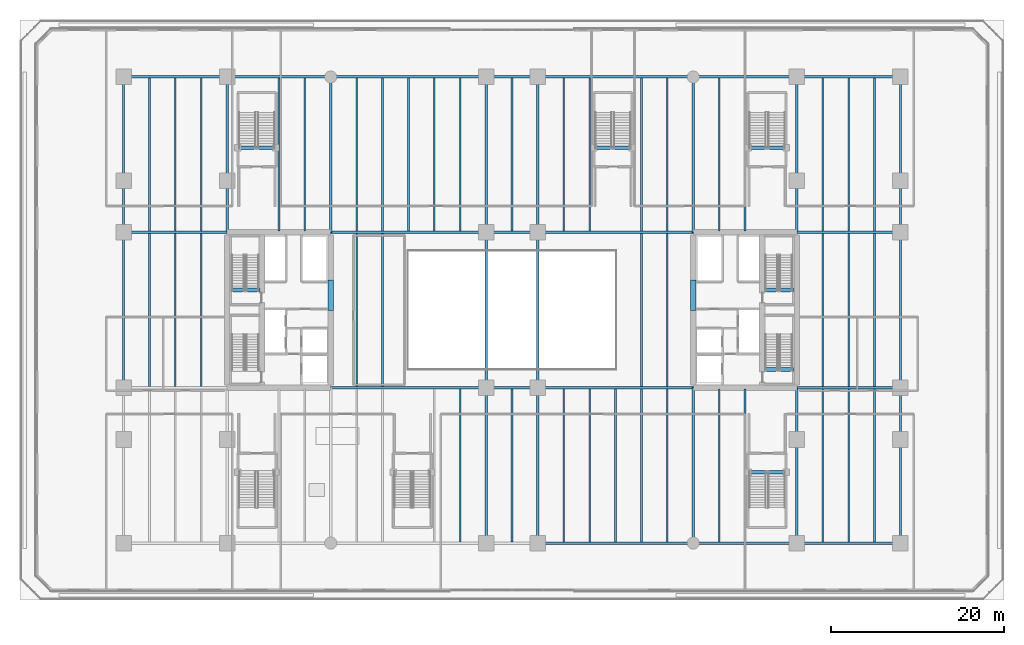
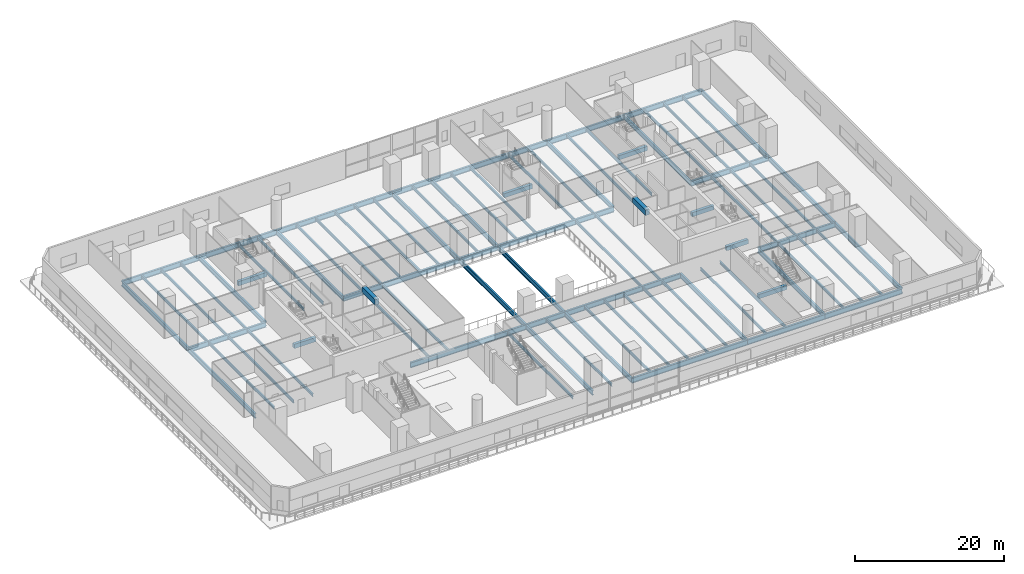
# One storey, part 3 of 24: 87 beams.
"""IFC4 building model written with IfcOpenShell, lengths in metres."""

from ifc_helpers import new_model, si_unit, direction, frame, origin, origin_2d, place, context, subcontext, project, spatial, rectangle, i_section, extrude, material, material_profile, profile_set, type_object, element, save


model = new_model("IFC4")

# Units and contexts
model_context = context("Model", 3, precision=1e-05, world=origin(), true_north=direction((0.0, 1.0)))
body_context = subcontext(model_context, "Body", "Model", "MODEL_VIEW")
ifc_project = project(units=[si_unit("LENGTHUNIT", "METRE"), si_unit("AREAUNIT", "SQUARE_METRE"), si_unit("VOLUMEUNIT", "CUBIC_METRE"), si_unit("PLANEANGLEUNIT", "RADIAN"), si_unit("MASSUNIT", "GRAM", prefix="KILO")], contexts=[model_context])

# Site, building, storey
site_placement = place(None, origin())
site = spatial("IfcSite", under=ifc_project, at=site_placement, CompositionType="ELEMENT")
building_placement = place(site_placement, origin())
building = spatial("IfcBuilding", under=site, at=building_placement, Name="Tanjung Sevakor Pilgrim Tower", CompositionType="ELEMENT")
storey_placement = place(building_placement, frame((0.0, 0.0, 4.949951171875)))
storey = spatial("IfcBuildingStorey", under=building, at=storey_placement, Name="L02", CompositionType="ELEMENT", Elevation=4.949951171875)

# Beams
ifc_material_1 = material(Name="Steel S355J2", Category="steel")
ifc_material_profile_1 = material_profile(ifc_material_1, i_section(OverallWidth=0.26806640625, OverallDepth=0.769775390625, WebThickness=0.015625, FlangeThickness=0.025390625, FilletRadius=0.0166015625, at=origin_2d()))
ifc_profile_set_1 = profile_set([ifc_material_profile_1], Name="Steel S355J2")
beam_type_1 = type_object("IfcBeamType", Name="BM-B-G1-UB_762x267x197", PredefinedType="BEAM", material=ifc_profile_set_1)
for number, where, z_axis, x_axis, name in (
    (1, (12.0, 24.60009765625, -0.664794921875), (0.0, 1.0, 0.0), (-1.0, 0.0, 0.0), "L02 Podium Girder NS X12-2"),
    (2, (12.0, 42.60009765625, -0.664794921875), (0.0, 1.0, 0.0), (-1.0, 0.0, 0.0), "L02 Podium Girder NS X12-3"),
    (3, (24.0, 42.60009765625, -0.664794921875), (0.0, 1.0, 0.0), (-1.0, 0.0, 0.0), "L02 Podium Girder NS X24-2"),
    (4, (36.0, 42.60009765625, -0.664794921875), (0.0, 1.0, 0.0), (-1.0, 0.0, 0.0), "L02 Podium Girder NS X36-2"),
    (5, (54.0, 6.60009765625, -0.664794921875), (0.0, 1.0, 0.0), (-1.0, 0.0, 0.0), "L02 Podium Girder NS X54-1"),
    (6, (54.0, 24.60009765625, -0.664794921875), (0.0, 1.0, 0.0), (-1.0, 0.0, 0.0), "L02 Podium Girder NS X54-2"),
    (7, (54.0, 42.60009765625, -0.664794921875), (0.0, 1.0, 0.0), (-1.0, 0.0, 0.0), "L02 Podium Girder NS X54-3"),
    (8, (60.0, 6.60009765625, -0.664794921875), (0.0, 1.0, 0.0), (-1.0, 0.0, 0.0), "L02 Podium Girder NS X60-1"),
    (9, (60.0, 24.60009765625, -0.664794921875), (0.0, 1.0, 0.0), (-1.0, 0.0, 0.0), "L02 Podium Girder NS X60-2"),
    (10, (60.0, 42.60009765625, -0.664794921875), (0.0, 1.0, 0.0), (-1.0, 0.0, 0.0), "L02 Podium Girder NS X60-3"),
    (11, (78.0, 6.60009765625, -0.664794921875), (0.0, 1.0, 0.0), (-1.0, 0.0, 0.0), "L02 Podium Girder NS X78-1"),
    (12, (78.0, 42.60009765625, -0.664794921875), (0.0, 1.0, 0.0), (-1.0, 0.0, 0.0), "L02 Podium Girder NS X78-2"),
    (13, (90.0, 6.60009765625, -0.664794921875), (0.0, 1.0, 0.0), (-1.0, 0.0, 0.0), "L02 Podium Girder NS X90-1"),
    (14, (90.0, 42.60009765625, -0.664794921875), (0.0, 1.0, 0.0), (-1.0, 0.0, 0.0), "L02 Podium Girder NS X90-2"),
    (15, (102.0, 6.60009765625, -0.664794921875), (0.0, 1.0, 0.0), (-1.0, 0.0, 0.0), "L02 Podium Girder NS X102-1"),
    (16, (102.0, 24.60009765625, -0.664794921875), (0.0, 1.0, 0.0), (-1.0, 0.0, 0.0), "L02 Podium Girder NS X102-2"),
    (17, (102.0, 42.60009765625, -0.664794921875), (0.0, 1.0, 0.0), (-1.0, 0.0, 0.0), "L02 Podium Girder NS X102-3"),
):
    element("IfcBeam", number, at=place(storey_placement, frame(where, z_axis=z_axis, x_axis=x_axis)), inside=storey, type_object=beam_type_1, Name=name, PredefinedType="BEAM", context=body_context, shape_type="SweptSolid", body=[
        extrude(i_section(OverallWidth=0.26806640625, OverallDepth=0.769775390625, WebThickness=0.015625, FlangeThickness=0.025390625, FilletRadius=0.0166015625, at=origin_2d()), origin(), (0.0, 0.0, 1.0), 18.0),
    ])
ifc_material_2 = material(Name="Steel S355J2", Category="steel")
ifc_material_profile_2 = material_profile(ifc_material_2, i_section(OverallWidth=0.19287109375, OverallDepth=0.46728515625, WebThickness=0.011474609375, FlangeThickness=0.01953125, FilletRadius=0.01025390625, at=origin_2d()))
ifc_profile_set_2 = profile_set([ifc_material_profile_2], Name="Steel S355J2")
beam_type_2 = type_object("IfcBeamType", Name="BM-B-J1-UB_457x191x98", PredefinedType="JOIST", material=ifc_profile_set_2)
for number, where, z_axis, x_axis, name in (
    (18, (15.0, 24.746826171875, -0.513671875), (0.0, 1.0, 0.0), (-1.0, 0.0, 0.0), "L02 Secondary Joist 002"),
    (19, (15.0, 42.746826171875, -0.513671875), (0.0, 1.0, 0.0), (-1.0, 0.0, 0.0), "L02 Secondary Joist 003"),
    (20, (18.0, 24.746826171875, -0.513671875), (0.0, 1.0, 0.0), (-1.0, 0.0, 0.0), "L02 Secondary Joist 005"),
    (21, (18.0, 42.746826171875, -0.513671875), (0.0, 1.0, 0.0), (-1.0, 0.0, 0.0), "L02 Secondary Joist 006"),
    (22, (21.0, 24.746826171875, -0.513671875), (0.0, 1.0, 0.0), (-1.0, 0.0, 0.0), "L02 Secondary Joist 008"),
    (23, (21.0, 42.746826171875, -0.513671875), (0.0, 1.0, 0.0), (-1.0, 0.0, 0.0), "L02 Secondary Joist 009"),
    (24, (30.0, 42.746826171875, -0.513671875), (0.0, 1.0, 0.0), (-1.0, 0.0, 0.0), "L02 Secondary Joist 011"),
    (25, (33.0, 42.746826171875, -0.513671875), (0.0, 1.0, 0.0), (-1.0, 0.0, 0.0), "L02 Secondary Joist 013"),
    (26, (39.0, 24.746826171875, -0.513671875), (0.0, 1.0, 0.0), (-1.0, 0.0, 0.0), "L02 Secondary Joist 015"),
    (27, (39.0, 42.746826171875, -0.513671875), (0.0, 1.0, 0.0), (-1.0, 0.0, 0.0), "L02 Secondary Joist 016"),
    (28, (42.0, 24.746826171875, -0.513671875), (0.0, 1.0, 0.0), (-1.0, 0.0, 0.0), "L02 Secondary Joist 018"),
    (29, (42.0, 42.746826171875, -0.513671875), (0.0, 1.0, 0.0), (-1.0, 0.0, 0.0), "L02 Secondary Joist 019"),
    (30, (45.0, 42.746826171875, -0.513671875), (0.0, 1.0, 0.0), (-1.0, 0.0, 0.0), "L02 Secondary Joist 020"),
    (31, (48.0, 42.746826171875, -0.513671875), (0.0, 1.0, 0.0), (-1.0, 0.0, 0.0), "L02 Secondary Joist 022"),
    (32, (51.0, 6.746826171875, -0.513671875), (0.0, 1.0, 0.0), (-1.0, 0.0, 0.0), "L02 Secondary Joist 023"),
    (33, (51.0, 42.746826171875, -0.513671875), (0.0, 1.0, 0.0), (-1.0, 0.0, 0.0), "L02 Secondary Joist 024"),
    (34, (57.0, 6.746826171875, -0.513671875), (0.0, 1.0, 0.0), (-1.0, 0.0, 0.0), "L02 Secondary Joist 025"),
    (35, (57.0, 42.746826171875, -0.513671875), (0.0, 1.0, 0.0), (-1.0, 0.0, 0.0), "L02 Secondary Joist 026"),
    (36, (63.0, 6.746826171875, -0.513671875), (0.0, 1.0, 0.0), (-1.0, 0.0, 0.0), "L02 Secondary Joist 027"),
    (37, (63.0, 42.746826171875, -0.513671875), (0.0, 1.0, 0.0), (-1.0, 0.0, 0.0), "L02 Secondary Joist 028"),
    (38, (66.0, 6.746826171875, -0.513671875), (0.0, 1.0, 0.0), (-1.0, 0.0, 0.0), "L02 Secondary Joist 029"),
    (39, (66.0, 42.746826171875, -0.513671875), (0.0, 1.0, 0.0), (-1.0, 0.0, 0.0), "L02 Secondary Joist 030"),
    (40, (69.0, 6.746826171875, -0.513671875), (0.0, 1.0, 0.0), (-1.0, 0.0, 0.0), "L02 Secondary Joist 031"),
    (41, (72.0, 6.746826171875, -0.513671875), (0.0, 1.0, 0.0), (-1.0, 0.0, 0.0), "L02 Secondary Joist 032"),
    (42, (72.0, 24.746826171875, -0.513671875), (0.0, 1.0, 0.0), (-1.0, 0.0, 0.0), "L02 Secondary Joist 033"),
    (43, (72.0, 42.746826171875, -0.513671875), (0.0, 1.0, 0.0), (-1.0, 0.0, 0.0), "L02 Secondary Joist 034"),
    (44, (75.0, 6.746826171875, -0.513671875), (0.0, 1.0, 0.0), (-1.0, 0.0, 0.0), "L02 Secondary Joist 035"),
    (45, (75.0, 24.746826171875, -0.513671875), (0.0, 1.0, 0.0), (-1.0, 0.0, 0.0), "L02 Secondary Joist 036"),
    (46, (75.0, 42.746826171875, -0.513671875), (0.0, 1.0, 0.0), (-1.0, 0.0, 0.0), "L02 Secondary Joist 037"),
    (47, (81.0, 6.746826171875, -0.513671875), (0.0, 1.0, 0.0), (-1.0, 0.0, 0.0), "L02 Secondary Joist 038"),
    (48, (81.0, 42.746826171875, -0.513671875), (0.0, 1.0, 0.0), (-1.0, 0.0, 0.0), "L02 Secondary Joist 039"),
    (49, (84.0, 6.746826171875, -0.513671875), (0.0, 1.0, 0.0), (-1.0, 0.0, 0.0), "L02 Secondary Joist 040"),
    (50, (84.0, 42.746826171875, -0.513671875), (0.0, 1.0, 0.0), (-1.0, 0.0, 0.0), "L02 Secondary Joist 041"),
    (51, (93.0, 6.746826171875, -0.513671875), (0.0, 1.0, 0.0), (-1.0, 0.0, 0.0), "L02 Secondary Joist 042"),
    (52, (93.0, 24.746826171875, -0.513671875), (0.0, 1.0, 0.0), (-1.0, 0.0, 0.0), "L02 Secondary Joist 043"),
    (53, (93.0, 42.746826171875, -0.513671875), (0.0, 1.0, 0.0), (-1.0, 0.0, 0.0), "L02 Secondary Joist 044"),
    (54, (96.0, 6.746826171875, -0.513671875), (0.0, 1.0, 0.0), (-1.0, 0.0, 0.0), "L02 Secondary Joist 045"),
    (55, (96.0, 24.746826171875, -0.513671875), (0.0, 1.0, 0.0), (-1.0, 0.0, 0.0), "L02 Secondary Joist 046"),
    (56, (96.0, 42.746826171875, -0.513671875), (0.0, 1.0, 0.0), (-1.0, 0.0, 0.0), "L02 Secondary Joist 047"),
    (57, (99.0, 6.746826171875, -0.513671875), (0.0, 1.0, 0.0), (-1.0, 0.0, 0.0), "L02 Secondary Joist 048"),
    (58, (99.0, 24.746826171875, -0.513671875), (0.0, 1.0, 0.0), (-1.0, 0.0, 0.0), "L02 Secondary Joist 049"),
    (59, (99.0, 42.746826171875, -0.513671875), (0.0, 1.0, 0.0), (-1.0, 0.0, 0.0), "L02 Secondary Joist 050"),
):
    element("IfcBeam", number, at=place(storey_placement, frame(where, z_axis=z_axis, x_axis=x_axis)), inside=storey, type_object=beam_type_2, Name=name, PredefinedType="JOIST", context=body_context, shape_type="SweptSolid", body=[
        extrude(i_section(OverallWidth=0.19287109375, OverallDepth=0.46728515625, WebThickness=0.011474609375, FlangeThickness=0.01953125, FilletRadius=0.01025390625, at=origin_2d()), origin(), (0.0, 0.0, 1.0), 17.706298828125),
    ])
ifc_material_3 = material(Name="Concrete C60/75", Category="concrete")
ifc_material_profile_3 = material_profile(ifc_material_3, rectangle(XDim=0.60009765625, YDim=0.89990234375, at=origin_2d()))
ifc_profile_set_3 = profile_set([ifc_material_profile_3], Name="Concrete C60/75")
beam_type_3 = type_object("IfcBeamType", Name="BM-B-LN1-RC-BM_600x900", PredefinedType="LINTEL", material=ifc_profile_set_3)
for number, where, z_axis, x_axis, name in (
    (60, (36.0, 33.550048828125, 4.219970703125), (0.0, 1.0, 0.0), (-1.0, 0.0, 0.0), "L02 W Core Coupling Lintel"),
    (61, (78.0, 33.550048828125, 4.219970703125), (0.0, 1.0, 0.0), (-1.0, 0.0, 0.0), "L02 E Core Coupling Lintel"),
):
    element("IfcBeam", number, at=place(storey_placement, frame(where, z_axis=z_axis, x_axis=x_axis)), inside=storey, type_object=beam_type_3, Name=name, PredefinedType="LINTEL", context=body_context, shape_type="SweptSolid", body=[
        extrude(rectangle(XDim=0.60009765625, YDim=0.89990234375, at=origin_2d()), origin(), (0.0, 0.0, 1.0), 3.5),
    ])
ifc_material_4 = material(Name="Concrete C60/75", Category="concrete")
ifc_material_profile_4 = material_profile(ifc_material_4, rectangle(XDim=0.449951171875, YDim=0.699951171875, at=origin_2d()))
ifc_profile_set_4 = profile_set([ifc_material_profile_4], Name="Concrete C60/75")
beam_type_4 = type_object("IfcBeamType", Name="BM-B-LN3-RC-BM_450x700", PredefinedType="LINTEL", material=ifc_profile_set_4)
for number, where, z_axis, x_axis, name in (
    (62, (24.39990234375, 35.89990234375, -0.349853515625), (1.0, 0.0, 0.0), (0.0, 1.0, 0.0), "L02 TS-W2 Stair Threshold Beam"),
    (63, (86.199951171875, 26.699951171875, -0.349853515625), (1.0, 0.0, 0.0), (0.0, 1.0, 0.0), "L02 TS-E1 Stair Threshold Beam"),
    (64, (86.199951171875, 35.89990234375, -0.349853515625), (1.0, 0.0, 0.0), (0.0, 1.0, 0.0), "L02 TS-E2 Stair Threshold Beam"),
):
    element("IfcBeam", number, at=place(storey_placement, frame(where, z_axis=z_axis, x_axis=x_axis)), inside=storey, type_object=beam_type_4, Name=name, PredefinedType="LINTEL", context=body_context, shape_type="SweptSolid", body=[
        extrude(rectangle(XDim=0.449951171875, YDim=0.699951171875, at=origin_2d()), origin(), (0.0, 0.0, 1.0), 3.400146484375),
    ])
for number, where, z_axis, x_axis, name in (
    (65, (25.25, 52.39990234375, -0.349853515625), (1.0, 0.0, 0.0), (0.0, 1.0, 0.0), "L02 PS-2 Stair Threshold Beam"),
    (66, (66.5, 52.39990234375, -0.349853515625), (1.0, 0.0, 0.0), (0.0, 1.0, 0.0), "L02 PS-4 Stair Threshold Beam"),
    (67, (84.35009765625, 14.800048828125, -0.349853515625), (1.0, 0.0, 0.0), (0.0, 1.0, 0.0), "L02 PS-5 Stair Threshold Beam"),
    (68, (84.35009765625, 52.39990234375, -0.349853515625), (1.0, 0.0, 0.0), (0.0, 1.0, 0.0), "L02 PS-6 Stair Threshold Beam"),
):
    element("IfcBeam", number, at=place(storey_placement, frame(where, z_axis=z_axis, x_axis=x_axis)), inside=storey, type_object=beam_type_4, Name=name, PredefinedType="LINTEL", context=body_context, shape_type="SweptSolid", body=[
        extrude(rectangle(XDim=0.449951171875, YDim=0.699951171875, at=origin_2d()), origin(), (0.0, 0.0, 1.0), 4.39990234375),
    ])
ifc_material_5 = material(Name="Steel S355J2", Category="steel")
ifc_material_profile_5 = material_profile(ifc_material_5, i_section(OverallWidth=0.293701171875, OverallDepth=0.850830078125, WebThickness=0.01611328125, FlangeThickness=0.02685546875, FilletRadius=0.017822265625, at=origin_2d()))
ifc_profile_set_5 = profile_set([ifc_material_profile_5], Name="Steel S355J2")
beam_type_5 = type_object("IfcBeamType", Name="BM-B-POD3-UB_838x292x226", PredefinedType="BEAM", material=ifc_profile_set_5)
beam_1_placement = place(storey_placement, frame((60.0, 6.60009765625, -0.705322265625), z_axis=(1.0, 0.0, 0.0), x_axis=(0.0, 1.0, 0.0)))
element("IfcBeam", 69, at=beam_1_placement, inside=storey, type_object=beam_type_5, Name="L02 Podium Girder EW Y6.6-5", PredefinedType="BEAM", context=body_context, shape_type="SweptSolid", body=[
    extrude(i_section(OverallWidth=0.293701171875, OverallDepth=0.850830078125, WebThickness=0.01611328125, FlangeThickness=0.02685546875, FilletRadius=0.017822265625, at=origin_2d()), origin(), (0.0, 0.0, 1.0), 18.0),
])
for number, where, z_axis, x_axis, name in (
    (70, (78.0, 6.60009765625, -0.705322265625), (1.0, 0.0, 0.0), (0.0, 1.0, 0.0), "L02 Podium Girder EW Y6.6-6"),
    (71, (90.0, 6.60009765625, -0.705322265625), (1.0, 0.0, 0.0), (0.0, 1.0, 0.0), "L02 Podium Girder EW Y6.6-7"),
):
    element("IfcBeam", number, at=place(storey_placement, frame(where, z_axis=z_axis, x_axis=x_axis)), inside=storey, type_object=beam_type_5, Name=name, PredefinedType="BEAM", context=body_context, shape_type="SweptSolid", body=[
        extrude(i_section(OverallWidth=0.293701171875, OverallDepth=0.850830078125, WebThickness=0.01611328125, FlangeThickness=0.02685546875, FilletRadius=0.017822265625, at=origin_2d()), origin(), (0.0, 0.0, 1.0), 12.0),
    ])
beam_2_placement = place(storey_placement, frame((36.0, 24.60009765625, -0.705322265625), z_axis=(1.0, 0.0, 0.0), x_axis=(0.0, 1.0, 0.0)))
element("IfcBeam", 72, at=beam_2_placement, inside=storey, type_object=beam_type_5, Name="L02 Podium Girder EW Y24.6-2", PredefinedType="BEAM", context=body_context, shape_type="SweptSolid", body=[
    extrude(i_section(OverallWidth=0.293701171875, OverallDepth=0.850830078125, WebThickness=0.01611328125, FlangeThickness=0.02685546875, FilletRadius=0.017822265625, at=origin_2d()), origin(), (0.0, 0.0, 1.0), 18.0),
])
beam_3_placement = place(storey_placement, frame((54.0, 24.60009765625, -0.705322265625), z_axis=(1.0, 0.0, 0.0), x_axis=(0.0, 1.0, 0.0)))
element("IfcBeam", 73, at=beam_3_placement, inside=storey, type_object=beam_type_5, Name="L02 Podium Girder EW Y24.6-3", PredefinedType="BEAM", context=body_context, shape_type="SweptSolid", body=[
    extrude(i_section(OverallWidth=0.293701171875, OverallDepth=0.850830078125, WebThickness=0.01611328125, FlangeThickness=0.02685546875, FilletRadius=0.017822265625, at=origin_2d()), origin(), (0.0, 0.0, 1.0), 6.0),
])
beam_4_placement = place(storey_placement, frame((60.0, 24.60009765625, -0.705322265625), z_axis=(1.0, 0.0, 0.0), x_axis=(0.0, 1.0, 0.0)))
element("IfcBeam", 74, at=beam_4_placement, inside=storey, type_object=beam_type_5, Name="L02 Podium Girder EW Y24.6-4", PredefinedType="BEAM", context=body_context, shape_type="SweptSolid", body=[
    extrude(i_section(OverallWidth=0.293701171875, OverallDepth=0.850830078125, WebThickness=0.01611328125, FlangeThickness=0.02685546875, FilletRadius=0.017822265625, at=origin_2d()), origin(), (0.0, 0.0, 1.0), 18.0),
])
for number, where, z_axis, x_axis, name in (
    (75, (90.0, 24.60009765625, -0.705322265625), (1.0, 0.0, 0.0), (0.0, 1.0, 0.0), "L02 Podium Girder EW Y24.6-5"),
    (76, (12.0, 42.60009765625, -0.705322265625), (1.0, 0.0, 0.0), (0.0, 1.0, 0.0), "L02 Podium Girder EW Y42.6-1"),
):
    element("IfcBeam", number, at=place(storey_placement, frame(where, z_axis=z_axis, x_axis=x_axis)), inside=storey, type_object=beam_type_5, Name=name, PredefinedType="BEAM", context=body_context, shape_type="SweptSolid", body=[
        extrude(i_section(OverallWidth=0.293701171875, OverallDepth=0.850830078125, WebThickness=0.01611328125, FlangeThickness=0.02685546875, FilletRadius=0.017822265625, at=origin_2d()), origin(), (0.0, 0.0, 1.0), 12.0),
    ])
beam_5_placement = place(storey_placement, frame((36.0, 42.60009765625, -0.705322265625), z_axis=(1.0, 0.0, 0.0), x_axis=(0.0, 1.0, 0.0)))
element("IfcBeam", 77, at=beam_5_placement, inside=storey, type_object=beam_type_5, Name="L02 Podium Girder EW Y42.6-2", PredefinedType="BEAM", context=body_context, shape_type="SweptSolid", body=[
    extrude(i_section(OverallWidth=0.293701171875, OverallDepth=0.850830078125, WebThickness=0.01611328125, FlangeThickness=0.02685546875, FilletRadius=0.017822265625, at=origin_2d()), origin(), (0.0, 0.0, 1.0), 18.0),
])
beam_6_placement = place(storey_placement, frame((54.0, 42.60009765625, -0.705322265625), z_axis=(1.0, 0.0, 0.0), x_axis=(0.0, 1.0, 0.0)))
element("IfcBeam", 78, at=beam_6_placement, inside=storey, type_object=beam_type_5, Name="L02 Podium Girder EW Y42.6-3", PredefinedType="BEAM", context=body_context, shape_type="SweptSolid", body=[
    extrude(i_section(OverallWidth=0.293701171875, OverallDepth=0.850830078125, WebThickness=0.01611328125, FlangeThickness=0.02685546875, FilletRadius=0.017822265625, at=origin_2d()), origin(), (0.0, 0.0, 1.0), 6.0),
])
beam_7_placement = place(storey_placement, frame((60.0, 42.60009765625, -0.705322265625), z_axis=(1.0, 0.0, 0.0), x_axis=(0.0, 1.0, 0.0)))
element("IfcBeam", 79, at=beam_7_placement, inside=storey, type_object=beam_type_5, Name="L02 Podium Girder EW Y42.6-4", PredefinedType="BEAM", context=body_context, shape_type="SweptSolid", body=[
    extrude(i_section(OverallWidth=0.293701171875, OverallDepth=0.850830078125, WebThickness=0.01611328125, FlangeThickness=0.02685546875, FilletRadius=0.017822265625, at=origin_2d()), origin(), (0.0, 0.0, 1.0), 18.0),
])
for number, where, z_axis, x_axis, name in (
    (80, (90.0, 42.60009765625, -0.705322265625), (1.0, 0.0, 0.0), (0.0, 1.0, 0.0), "L02 Podium Girder EW Y42.6-5"),
    (81, (12.0, 60.60009765625, -0.705322265625), (1.0, 0.0, 0.0), (0.0, 1.0, 0.0), "L02 Podium Girder EW Y60.6-1"),
    (82, (24.0, 60.60009765625, -0.705322265625), (1.0, 0.0, 0.0), (0.0, 1.0, 0.0), "L02 Podium Girder EW Y60.6-2"),
):
    element("IfcBeam", number, at=place(storey_placement, frame(where, z_axis=z_axis, x_axis=x_axis)), inside=storey, type_object=beam_type_5, Name=name, PredefinedType="BEAM", context=body_context, shape_type="SweptSolid", body=[
        extrude(i_section(OverallWidth=0.293701171875, OverallDepth=0.850830078125, WebThickness=0.01611328125, FlangeThickness=0.02685546875, FilletRadius=0.017822265625, at=origin_2d()), origin(), (0.0, 0.0, 1.0), 12.0),
    ])
beam_8_placement = place(storey_placement, frame((36.0, 60.60009765625, -0.705322265625), z_axis=(1.0, 0.0, 0.0), x_axis=(0.0, 1.0, 0.0)))
element("IfcBeam", 83, at=beam_8_placement, inside=storey, type_object=beam_type_5, Name="L02 Podium Girder EW Y60.6-3", PredefinedType="BEAM", context=body_context, shape_type="SweptSolid", body=[
    extrude(i_section(OverallWidth=0.293701171875, OverallDepth=0.850830078125, WebThickness=0.01611328125, FlangeThickness=0.02685546875, FilletRadius=0.017822265625, at=origin_2d()), origin(), (0.0, 0.0, 1.0), 18.0),
])
beam_9_placement = place(storey_placement, frame((54.0, 60.60009765625, -0.705322265625), z_axis=(1.0, 0.0, 0.0), x_axis=(0.0, 1.0, 0.0)))
element("IfcBeam", 84, at=beam_9_placement, inside=storey, type_object=beam_type_5, Name="L02 Podium Girder EW Y60.6-4", PredefinedType="BEAM", context=body_context, shape_type="SweptSolid", body=[
    extrude(i_section(OverallWidth=0.293701171875, OverallDepth=0.850830078125, WebThickness=0.01611328125, FlangeThickness=0.02685546875, FilletRadius=0.017822265625, at=origin_2d()), origin(), (0.0, 0.0, 1.0), 6.0),
])
beam_10_placement = place(storey_placement, frame((60.0, 60.60009765625, -0.705322265625), z_axis=(1.0, 0.0, 0.0), x_axis=(0.0, 1.0, 0.0)))
element("IfcBeam", 85, at=beam_10_placement, inside=storey, type_object=beam_type_5, Name="L02 Podium Girder EW Y60.6-5", PredefinedType="BEAM", context=body_context, shape_type="SweptSolid", body=[
    extrude(i_section(OverallWidth=0.293701171875, OverallDepth=0.850830078125, WebThickness=0.01611328125, FlangeThickness=0.02685546875, FilletRadius=0.017822265625, at=origin_2d()), origin(), (0.0, 0.0, 1.0), 18.0),
])
for number, where, z_axis, x_axis, name in (
    (86, (78.0, 60.60009765625, -0.705322265625), (1.0, 0.0, 0.0), (0.0, 1.0, 0.0), "L02 Podium Girder EW Y60.6-6"),
    (87, (90.0, 60.60009765625, -0.705322265625), (1.0, 0.0, 0.0), (0.0, 1.0, 0.0), "L02 Podium Girder EW Y60.6-7"),
):
    element("IfcBeam", number, at=place(storey_placement, frame(where, z_axis=z_axis, x_axis=x_axis)), inside=storey, type_object=beam_type_5, Name=name, PredefinedType="BEAM", context=body_context, shape_type="SweptSolid", body=[
        extrude(i_section(OverallWidth=0.293701171875, OverallDepth=0.850830078125, WebThickness=0.01611328125, FlangeThickness=0.02685546875, FilletRadius=0.017822265625, at=origin_2d()), origin(), (0.0, 0.0, 1.0), 12.0),
    ])

save(model, "model.ifc")
